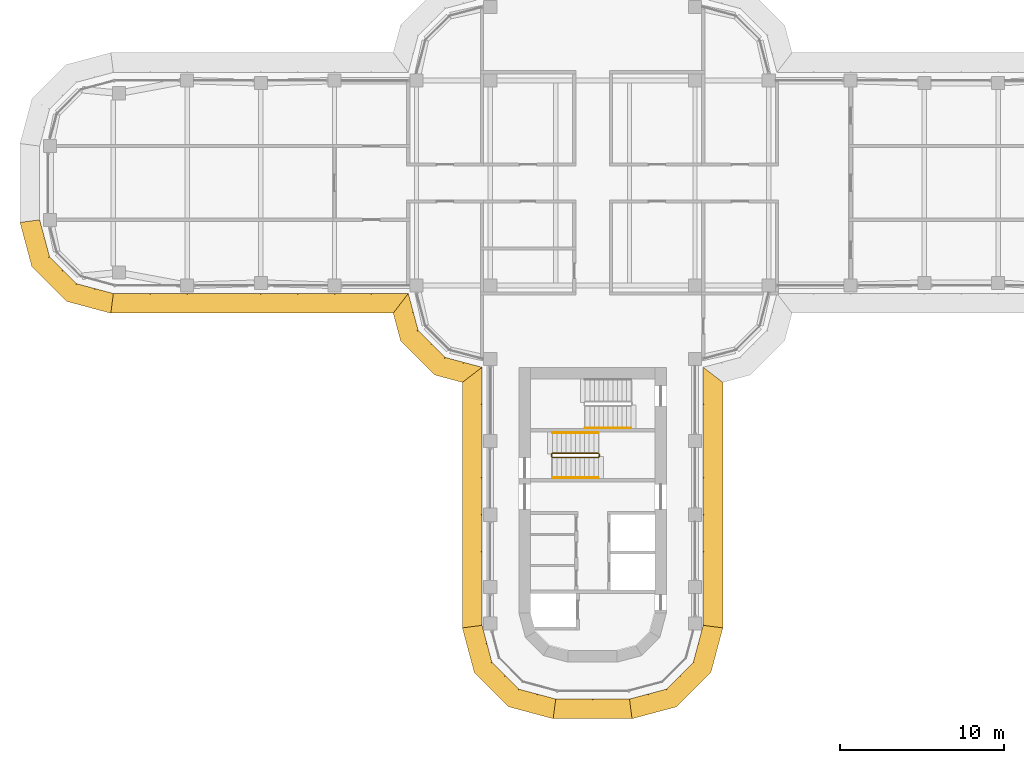
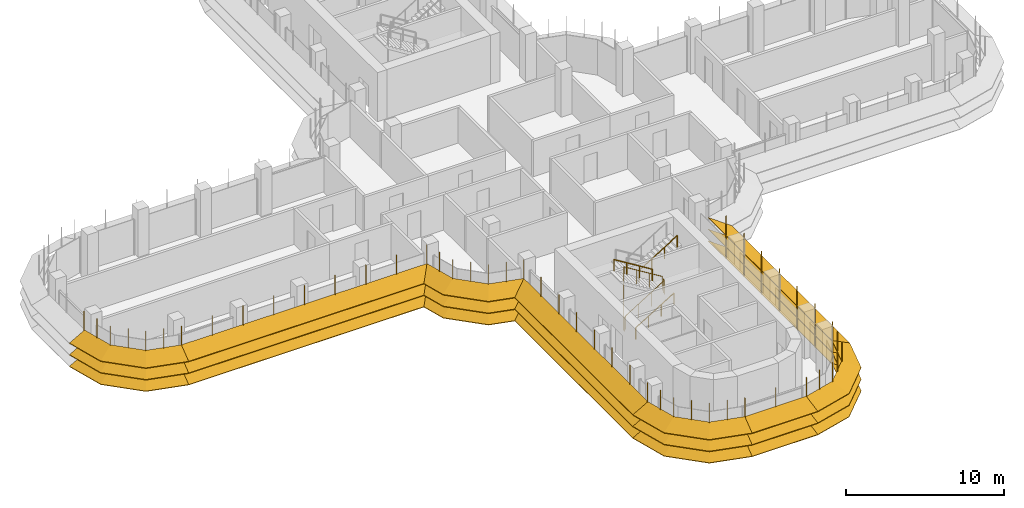
# One storey, part 16 of 19: 8 shading devices, 4 railings.
"""IFC4 building model written with IfcOpenShell, lengths in metres."""

from ifc_helpers import new_model, si_unit, direction, frame, origin, origin_2d, place, context, subcontext, project, spatial, polyline, circle, outline, extrude, faceted_brep, source, transform, mapped, material, type_object, element, save


model = new_model("IFC4")

# Units and contexts
model_context = context("Model", 3, precision=1e-05, world=origin(), true_north=direction((0.0, 1.0)))
body_context = subcontext(model_context, "Body", "Model", "MODEL_VIEW")
ifc_project = project(units=[si_unit("LENGTHUNIT", "METRE"), si_unit("AREAUNIT", "SQUARE_METRE"), si_unit("VOLUMEUNIT", "CUBIC_METRE"), si_unit("PLANEANGLEUNIT", "RADIAN"), si_unit("MASSUNIT", "GRAM", prefix="KILO")], contexts=[model_context])

# Site, building, storey
site_placement = place(None, origin())
site = spatial("IfcSite", under=ifc_project, at=site_placement, CompositionType="ELEMENT")
building_placement = place(site_placement, origin())
building = spatial("IfcBuilding", under=site, at=building_placement, Name="Zarbagh Exchange Tower", CompositionType="ELEMENT")
storey_placement = place(building_placement, frame((0.0, 0.0, 171.39990234375)))
storey = spatial("IfcBuildingStorey", under=building, at=storey_placement, Name="L41", CompositionType="ELEMENT", Elevation=171.39990234375)

# Railings
ifc_material_1 = material(Name="Stainless steel", Category="steel")
railing_type_1 = type_object("IfcRailingType", Name="Stair guard 1100 mm", PredefinedType="GUARDRAIL", material=ifc_material_1)
railing_1_placement = place(storey_placement, frame((0.35009765625, -16.5, 2.07275390625)))
element("IfcRailing", 1, at=railing_1_placement, inside=storey, type_object=railing_type_1, Name="ST3 stair guard 1", PredefinedType="GUARDRAIL", context=body_context, shape_type="SweptSolid", body=[
    extrude(circle(Radius=0.02392578125, at=origin_2d()), frame((0.0, 0.0, 1.076171875), z_axis=(-0.851089632645, 0.0, 0.525020415988), x_axis=(0.0, -1.0, 0.0)), (0.0, 0.0, 1.0), 3.2900390625),
    extrude(circle(Radius=0.02392578125, at=origin_2d()), frame((-2.800048828125, 0.0, 2.80322265625), z_axis=(-0.013168290981, -0.013168290981, -0.999826581076), x_axis=(0.707106781187, -0.707106781187, 0.0)), (0.0, 0.0, 1.0), 3.80078125),
    extrude(circle(Radius=0.02392578125, at=origin_2d()), frame((-2.85009765625, -0.050048828125, -0.99658203125), z_axis=(0.0, -1.0, 0.0), x_axis=(1.0, 0.0, 0.0)), (0.0, 0.0, 1.0), 0.14990234375),
    extrude(circle(Radius=0.02392578125, at=origin_2d()), frame((-2.85009765625, -0.199951171875, -0.99658203125), z_axis=(0.267953482034, -0.267953482034, 0.925419830635), x_axis=(0.707106781187, 0.707106781187, 0.0)), (0.0, 0.0, 1.0), 0.186767578125),
    extrude(circle(Radius=0.02392578125, at=origin_2d()), frame((-2.800048828125, -0.25, -0.82373046875), z_axis=(0.851089632645, 0.0, 0.525020415988), x_axis=(0.0, 1.0, 0.0)), (0.0, 0.0, 1.0), 3.2900390625),
    extrude(circle(Radius=0.02392578125, at=origin_2d()), frame((0.0, -0.25, 0.9033203125), z_axis=(0.705375805398, 0.708833529934, 0.0), x_axis=(-0.708833529934, 0.705375805398, 0.0)), (0.0, 0.0, 1.0), 0.070556640625),
    extrude(circle(Radius=0.02392578125, at=origin_2d()), frame((0.0498046875, -0.199951171875, 0.9033203125), z_axis=(0.0, 1.0, 0.0), x_axis=(-1.0, 0.0, 0.0)), (0.0, 0.0, 1.0), 0.14990234375),
    extrude(circle(Radius=0.02099609375, at=origin_2d()), origin(), (0.0, 0.0, 1.0), 1.052001953125),
    extrude(circle(Radius=0.02099609375, at=origin_2d()), frame((-0.933349609375, 0.0, 0.57568359375)), (0.0, 0.0, 1.0), 1.052001953125),
    extrude(circle(Radius=0.02099609375, at=origin_2d()), frame((-1.86669921875, 0.0, 1.151611328125)), (0.0, 0.0, 1.0), 1.052001953125),
    extrude(circle(Radius=0.02099609375, at=origin_2d()), frame((-2.800048828125, 0.0, 1.727294921875)), (0.0, 0.0, 1.0), 1.052001953125),
    extrude(circle(Radius=0.02099609375, at=origin_2d()), frame((-2.8125, -0.012451171875, 0.77734375)), (0.0, 0.0, 1.0), 1.052001953125),
    extrude(circle(Radius=0.02099609375, at=origin_2d()), frame((-2.8251953125, -0.02490234375, -0.1728515625)), (0.0, 0.0, 1.0), 1.052001953125),
    extrude(circle(Radius=0.02099609375, at=origin_2d()), frame((-2.837646484375, -0.03759765625, -1.122802734375)), (0.0, 0.0, 1.0), 1.052001953125),
    extrude(circle(Radius=0.02099609375, at=origin_2d()), frame((-2.85009765625, -0.050048828125, -2.07275390625)), (0.0, 0.0, 1.0), 1.052001953125),
    extrude(circle(Radius=0.02099609375, at=origin_2d()), frame((-2.85009765625, -0.199951171875, -2.07275390625)), (0.0, 0.0, 1.0), 1.052001953125),
    extrude(circle(Radius=0.02099609375, at=origin_2d()), frame((-2.800048828125, -0.25, -1.89990234375)), (0.0, 0.0, 1.0), 1.052001953125),
    extrude(circle(Radius=0.02099609375, at=origin_2d()), frame((-1.86669921875, -0.25, -1.32421875)), (0.0, 0.0, 1.0), 1.052001953125),
    extrude(circle(Radius=0.02099609375, at=origin_2d()), frame((-0.933349609375, -0.25, -0.748291015625)), (0.0, 0.0, 1.0), 1.052001953125),
    extrude(circle(Radius=0.02099609375, at=origin_2d()), frame((0.0, -0.25, -0.172607421875)), (0.0, 0.0, 1.0), 1.052001953125),
    extrude(circle(Radius=0.02099609375, at=origin_2d()), frame((0.0498046875, -0.199951171875, -0.172607421875)), (0.0, 0.0, 1.0), 1.052001953125),
    extrude(circle(Radius=0.02099609375, at=origin_2d()), frame((0.0498046875, -0.050048828125, -0.172607421875)), (0.0, 0.0, 1.0), 1.052001953125),
])
railing_type_2 = type_object("IfcRailingType", Name="Stair handrail 900 mm", PredefinedType="HANDRAIL", material=ifc_material_1)
railing_2_placement = place(storey_placement, frame((-2.449951171875, -18.0, 0.1728515625)))
element("IfcRailing", 2, at=railing_2_placement, inside=storey, type_object=railing_type_2, Name="ST3 stair handrail 1", PredefinedType="HANDRAIL", context=body_context, shape_type="SweptSolid", body=[
    extrude(circle(Radius=0.02392578125, at=origin_2d()), frame((0.0, 0.0, 0.8759765625), z_axis=(0.851089632645, 0.0, 0.525020415988), x_axis=(0.0, 1.0, 0.0)), (0.0, 0.0, 1.0), 3.2900390625),
    extrude(circle(Radius=0.02099609375, at=origin_2d()), origin(), (0.0, 0.0, 1.0), 0.851806640625),
    extrude(circle(Radius=0.02099609375, at=origin_2d()), frame((0.933349609375, 0.0, 0.57568359375)), (0.0, 0.0, 1.0), 0.851806640625),
    extrude(circle(Radius=0.02099609375, at=origin_2d()), frame((1.86669921875, 0.0, 1.151611328125)), (0.0, 0.0, 1.0), 0.851806640625),
    extrude(circle(Radius=0.02099609375, at=origin_2d()), frame((2.800048828125, 0.0, 1.727294921875)), (0.0, 0.0, 1.0), 0.851806640625),
])
railing_3_placement = place(storey_placement, frame((0.35009765625, -15.25, 2.07275390625)))
element("IfcRailing", 3, at=railing_3_placement, inside=storey, type_object=railing_type_2, Name="ST3 stair handrail 2", PredefinedType="HANDRAIL", context=body_context, shape_type="SweptSolid", body=[
    extrude(circle(Radius=0.02392578125, at=origin_2d()), frame((0.0, 0.0, 0.8759765625), z_axis=(-0.851089632645, 0.0, 0.525020415988), x_axis=(0.0, -1.0, 0.0)), (0.0, 0.0, 1.0), 3.2900390625),
    extrude(circle(Radius=0.02099609375, at=origin_2d()), origin(), (0.0, 0.0, 1.0), 0.851806640625),
    extrude(circle(Radius=0.02099609375, at=origin_2d()), frame((-0.933349609375, 0.0, 0.57568359375)), (0.0, 0.0, 1.0), 0.851806640625),
    extrude(circle(Radius=0.02099609375, at=origin_2d()), frame((-1.86669921875, 0.0, 1.151611328125)), (0.0, 0.0, 1.0), 0.851806640625),
    extrude(circle(Radius=0.02099609375, at=origin_2d()), frame((-2.800048828125, 0.0, 1.727294921875)), (0.0, 0.0, 1.0), 0.851806640625),
])
railing_4_placement = place(storey_placement, frame((-0.449951171875, -14.949951171875, 2.07275390625)))
element("IfcRailing", 4, at=railing_4_placement, inside=storey, type_object=railing_type_2, Name="ST4 stair handrail 2", PredefinedType="HANDRAIL", context=body_context, shape_type="SweptSolid", body=[
    extrude(circle(Radius=0.02392578125, at=origin_2d()), frame((0.0, 0.0, 0.8759765625), z_axis=(0.851089632645, 0.0, 0.525020415988), x_axis=(0.0, 1.0, 0.0)), (0.0, 0.0, 1.0), 3.2900390625),
    extrude(circle(Radius=0.02099609375, at=origin_2d()), origin(), (0.0, 0.0, 1.0), 0.851806640625),
    extrude(circle(Radius=0.02099609375, at=origin_2d()), frame((0.933349609375, 0.0, 0.57568359375)), (0.0, 0.0, 1.0), 0.851806640625),
    extrude(circle(Radius=0.02099609375, at=origin_2d()), frame((1.86669921875, 0.0, 1.151611328125)), (0.0, 0.0, 1.0), 0.851806640625),
    extrude(circle(Radius=0.02099609375, at=origin_2d()), frame((2.800048828125, 0.0, 1.727294921875)), (0.0, 0.0, 1.0), 0.851806640625),
])

# Shading devices
ifc_material_2 = material(Name="Anodised aluminium blades and brackets", Category="aluminium")
shading_device_type = type_object("IfcShadingDeviceType", Name="SUNSHADE louvre band, 22.5 degree blades", PredefinedType="JALOUSIE", material=ifc_material_2)
shared_shape_1 = source(origin(), body_context, "Body", "Brep", [
    faceted_brep([(0.0, 0.0, 0.0), (0.0, 0.0, -0.043212890625), (-0.157958984375, -1.199951171875, -0.540283203125), (-0.157958984375, -1.199951171875, -0.4970703125), (2.65087890625, -1.199951171875, -0.4970703125), (2.65087890625, -1.199951171875, -0.540283203125), (2.329345703125, 0.0, -0.043212890625), (2.329345703125, 0.0, 0.0)], [[[0, 1, 2, 3]], [[4, 5, 6, 7]], [[0, 7, 6, 1]], [[1, 6, 5, 2]], [[2, 5, 4, 3]], [[3, 4, 7, 0]]]),
])
shared_shape_2 = source(origin(), body_context, "Body", "Brep", [
    faceted_brep([(0.0, 0.0, 0.0), (0.0, 0.0, -0.043212890625), (-0.321533203125, -1.199951171875, -0.540283203125), (-0.321533203125, -1.199951171875, -0.4970703125), (2.65087890625, -1.199951171875, -0.4970703125), (2.65087890625, -1.199951171875, -0.540283203125), (2.329345703125, 0.0, -0.043212890625), (2.329345703125, 0.0, 0.0)], [[[0, 1, 2, 3]], [[4, 5, 6, 7]], [[0, 7, 6, 1]], [[1, 6, 5, 2]], [[2, 5, 4, 3]], [[3, 4, 7, 0]]]),
])
shared_shape_3 = source(origin(), body_context, "Body", "Brep", [
    faceted_brep([(0.0, 0.0, 0.0), (0.0, 0.0, -0.043212890625), (-0.321533203125, -1.199951171875, -0.540283203125), (-0.321533203125, -1.199951171875, -0.4970703125), (2.4873046875, -1.199951171875, -0.4970703125), (2.4873046875, -1.199951171875, -0.540283203125), (2.329345703125, 0.0, -0.043212890625), (2.329345703125, 0.0, 0.0)], [[[0, 1, 2, 3]], [[4, 5, 6, 7]], [[0, 7, 6, 1]], [[1, 6, 5, 2]], [[2, 5, 4, 3]], [[3, 4, 7, 0]]]),
])
shared_shape_4 = source(origin(), body_context, "Body", "SweptSolid", [
    extrude(outline(polyline([(0.0, -0.012451171875), (0.06005859375, -0.012451171875), (0.06005859375, 0.012451171875), (0.0, 0.012451171875), (0.0, -0.012451171875)])), origin(), (0.0, 0.0, 1.0), 3.353271484375),
])
placement = place(storey_placement, origin())
element("IfcShadingDevice", 5, at=placement, inside=storey, type_object=shading_device_type, Name="SS35 sunshade band", PredefinedType="JALOUSIE", context=body_context, shape_type="MappedRepresentation", body=[
    mapped(shared_shape_1, transform((2.25, -31.5, 2.300048828125), x_axis=(0.965924289636, 0.258824779902, 0.0), y_axis=(-0.258824779902, 0.965924289636, 0.0), z_axis=(0.0, 0.0, 1.0))),
    mapped(shared_shape_1, transform((2.25, -31.5, 1.400146484375), x_axis=(0.965924289636, 0.258824779902, 0.0), y_axis=(-0.258824779902, 0.965924289636, 0.0), z_axis=(0.0, 0.0, 1.0))),
    mapped(shared_shape_1, transform((2.25, -31.5, 0.5), x_axis=(0.965924289636, 0.258824779902, 0.0), y_axis=(-0.258824779902, 0.965924289636, 0.0), z_axis=(0.0, 0.0, 1.0))),
    mapped(shared_shape_2, transform((4.5, -30.897216796875, 2.300048828125), x_axis=(0.707106781187, 0.707106781187, 0.0), y_axis=(-0.707106781187, 0.707106781187, 0.0), z_axis=(0.0, 0.0, 1.0))),
    mapped(shared_shape_2, transform((4.5, -30.897216796875, 1.400146484375), x_axis=(0.707106781187, 0.707106781187, 0.0), y_axis=(-0.707106781187, 0.707106781187, 0.0), z_axis=(0.0, 0.0, 1.0))),
    mapped(shared_shape_2, transform((4.5, -30.897216796875, 0.5), x_axis=(0.707106781187, 0.707106781187, 0.0), y_axis=(-0.707106781187, 0.707106781187, 0.0), z_axis=(0.0, 0.0, 1.0))),
    mapped(shared_shape_3, transform((6.147216796875, -29.25, 2.300048828125), x_axis=(0.258824779902, 0.965924289636, 0.0), y_axis=(-0.965924289636, 0.258824779902, 0.0), z_axis=(0.0, 0.0, 1.0))),
    mapped(shared_shape_3, transform((6.147216796875, -29.25, 1.400146484375), x_axis=(0.258824779902, 0.965924289636, 0.0), y_axis=(-0.965924289636, 0.258824779902, 0.0), z_axis=(0.0, 0.0, 1.0))),
    mapped(shared_shape_3, transform((6.147216796875, -29.25, 0.5), x_axis=(0.258824779902, 0.965924289636, 0.0), y_axis=(-0.965924289636, 0.258824779902, 0.0), z_axis=(0.0, 0.0, 1.0))),
    mapped(shared_shape_4, transform((2.25, -31.5, 0.4267578125), x_axis=(0.130529263012, -0.991444457092, 0.0), y_axis=(0.991444457092, 0.130529263012, 0.0), z_axis=(0.0, 0.0, 1.0))),
    mapped(shared_shape_4, transform((3.375, -31.198486328125, 0.4267578125), x_axis=(0.258825058029, -0.96592421511, 0.0), y_axis=(0.96592421511, 0.258825058029, 0.0), z_axis=(0.0, 0.0, 1.0))),
    mapped(shared_shape_4, transform((4.5, -30.897216796875, 0.4267578125), x_axis=(0.50000275701, -0.866023812018, 0.0), y_axis=(0.866023812018, 0.50000275701, 0.0), z_axis=(0.0, 0.0, 1.0))),
    mapped(shared_shape_4, transform((5.323486328125, -30.073486328125, 0.4267578125), x_axis=(0.707106781187, -0.707106781187, 0.0), y_axis=(0.707106781187, 0.707106781187, 0.0), z_axis=(0.0, 0.0, 1.0))),
    mapped(shared_shape_4, transform((6.147216796875, -29.25, 0.4267578125), x_axis=(0.866023812018, -0.50000275701, 0.0), y_axis=(0.50000275701, 0.866023812018, 0.0), z_axis=(0.0, 0.0, 1.0))),
    mapped(shared_shape_4, transform((6.448486328125, -28.125, 0.4267578125), x_axis=(0.96592421511, -0.258825058029, 0.0), y_axis=(0.258825058029, 0.96592421511, 0.0), z_axis=(0.0, 0.0, 1.0))),
])
element("IfcShadingDevice", 6, at=placement, inside=storey, type_object=shading_device_type, Name="SS19 sunshade band", PredefinedType="JALOUSIE", context=body_context, shape_type="MappedRepresentation", body=[
    mapped(shared_shape_1, transform((-33.75, -2.25, 2.300048828125), x_axis=(0.258824779902, -0.965924289636, 0.0), y_axis=(0.965924289636, 0.258824779902, 0.0), z_axis=(0.0, 0.0, 1.0))),
    mapped(shared_shape_1, transform((-33.75, -2.25, 1.400146484375), x_axis=(0.258824779902, -0.965924289636, 0.0), y_axis=(0.965924289636, 0.258824779902, 0.0), z_axis=(0.0, 0.0, 1.0))),
    mapped(shared_shape_1, transform((-33.75, -2.25, 0.5), x_axis=(0.258824779902, -0.965924289636, 0.0), y_axis=(0.965924289636, 0.258824779902, 0.0), z_axis=(0.0, 0.0, 1.0))),
    mapped(shared_shape_2, transform((-33.147216796875, -4.5, 2.300048828125), x_axis=(0.707106781187, -0.707106781187, 0.0), y_axis=(0.707106781187, 0.707106781187, 0.0), z_axis=(0.0, 0.0, 1.0))),
    mapped(shared_shape_2, transform((-33.147216796875, -4.5, 1.400146484375), x_axis=(0.707106781187, -0.707106781187, 0.0), y_axis=(0.707106781187, 0.707106781187, 0.0), z_axis=(0.0, 0.0, 1.0))),
    mapped(shared_shape_2, transform((-33.147216796875, -4.5, 0.5), x_axis=(0.707106781187, -0.707106781187, 0.0), y_axis=(0.707106781187, 0.707106781187, 0.0), z_axis=(0.0, 0.0, 1.0))),
    mapped(shared_shape_3, transform((-31.5, -6.147216796875, 2.300048828125), x_axis=(0.965924289636, -0.258824779902, 0.0), y_axis=(0.258824779902, 0.965924289636, 0.0), z_axis=(0.0, 0.0, 1.0))),
    mapped(shared_shape_3, transform((-31.5, -6.147216796875, 1.400146484375), x_axis=(0.965924289636, -0.258824779902, 0.0), y_axis=(0.258824779902, 0.965924289636, 0.0), z_axis=(0.0, 0.0, 1.0))),
    mapped(shared_shape_3, transform((-31.5, -6.147216796875, 0.5), x_axis=(0.965924289636, -0.258824779902, 0.0), y_axis=(0.258824779902, 0.965924289636, 0.0), z_axis=(0.0, 0.0, 1.0))),
    mapped(shared_shape_4, transform((-33.75, -2.25, 0.4267578125), x_axis=(-0.991444457092, -0.130529263012, 0.0), y_axis=(0.130529263012, -0.991444457092, 0.0), z_axis=(0.0, 0.0, 1.0))),
    mapped(shared_shape_4, transform((-33.448486328125, -3.375, 0.4267578125), x_axis=(-0.96592421511, -0.258825058029, 0.0), y_axis=(0.258825058029, -0.96592421511, 0.0), z_axis=(0.0, 0.0, 1.0))),
    mapped(shared_shape_4, transform((-33.147216796875, -4.5, 0.4267578125), x_axis=(-0.866023812018, -0.50000275701, 0.0), y_axis=(0.50000275701, -0.866023812018, 0.0), z_axis=(0.0, 0.0, 1.0))),
    mapped(shared_shape_4, transform((-32.323486328125, -5.323486328125, 0.4267578125), x_axis=(-0.707106781187, -0.707106781187, 0.0), y_axis=(0.707106781187, -0.707106781187, 0.0), z_axis=(0.0, 0.0, 1.0))),
    mapped(shared_shape_4, transform((-31.5, -6.147216796875, 0.4267578125), x_axis=(-0.50000275701, -0.866023812018, 0.0), y_axis=(0.866023812018, -0.50000275701, 0.0), z_axis=(0.0, 0.0, 1.0))),
    mapped(shared_shape_4, transform((-30.375, -6.448486328125, 0.4267578125), x_axis=(-0.258825058029, -0.96592421511, 0.0), y_axis=(0.96592421511, -0.258825058029, 0.0), z_axis=(0.0, 0.0, 1.0))),
])
element("IfcShadingDevice", 7, at=placement, inside=storey, type_object=shading_device_type, Name="SS38 sunshade band", PredefinedType="JALOUSIE", context=body_context, shape_type="MappedRepresentation", body=[
    mapped(shared_shape_1, transform((-6.75, -27.0, 2.300048828125), x_axis=(0.258824779902, -0.965924289636, 0.0), y_axis=(0.965924289636, 0.258824779902, 0.0), z_axis=(0.0, 0.0, 1.0))),
    mapped(shared_shape_1, transform((-6.75, -27.0, 1.400146484375), x_axis=(0.258824779902, -0.965924289636, 0.0), y_axis=(0.965924289636, 0.258824779902, 0.0), z_axis=(0.0, 0.0, 1.0))),
    mapped(shared_shape_1, transform((-6.75, -27.0, 0.5), x_axis=(0.258824779902, -0.965924289636, 0.0), y_axis=(0.965924289636, 0.258824779902, 0.0), z_axis=(0.0, 0.0, 1.0))),
    mapped(shared_shape_2, transform((-6.147216796875, -29.25, 2.300048828125), x_axis=(0.707106781187, -0.707106781187, 0.0), y_axis=(0.707106781187, 0.707106781187, 0.0), z_axis=(0.0, 0.0, 1.0))),
    mapped(shared_shape_2, transform((-6.147216796875, -29.25, 1.400146484375), x_axis=(0.707106781187, -0.707106781187, 0.0), y_axis=(0.707106781187, 0.707106781187, 0.0), z_axis=(0.0, 0.0, 1.0))),
    mapped(shared_shape_2, transform((-6.147216796875, -29.25, 0.5), x_axis=(0.707106781187, -0.707106781187, 0.0), y_axis=(0.707106781187, 0.707106781187, 0.0), z_axis=(0.0, 0.0, 1.0))),
    mapped(shared_shape_3, transform((-4.5, -30.897216796875, 2.300048828125), x_axis=(0.965924289636, -0.258824779902, 0.0), y_axis=(0.258824779902, 0.965924289636, 0.0), z_axis=(0.0, 0.0, 1.0))),
    mapped(shared_shape_3, transform((-4.5, -30.897216796875, 1.400146484375), x_axis=(0.965924289636, -0.258824779902, 0.0), y_axis=(0.258824779902, 0.965924289636, 0.0), z_axis=(0.0, 0.0, 1.0))),
    mapped(shared_shape_3, transform((-4.5, -30.897216796875, 0.5), x_axis=(0.965924289636, -0.258824779902, 0.0), y_axis=(0.258824779902, 0.965924289636, 0.0), z_axis=(0.0, 0.0, 1.0))),
    mapped(shared_shape_4, transform((-6.75, -27.0, 0.4267578125), x_axis=(-0.991444457092, -0.130529263012, 0.0), y_axis=(0.130529263012, -0.991444457092, 0.0), z_axis=(0.0, 0.0, 1.0))),
    mapped(shared_shape_4, transform((-6.448486328125, -28.125, 0.4267578125), x_axis=(-0.96592421511, -0.258825058029, 0.0), y_axis=(0.258825058029, -0.96592421511, 0.0), z_axis=(0.0, 0.0, 1.0))),
    mapped(shared_shape_4, transform((-6.147216796875, -29.25, 0.4267578125), x_axis=(-0.866023812018, -0.50000275701, 0.0), y_axis=(0.50000275701, -0.866023812018, 0.0), z_axis=(0.0, 0.0, 1.0))),
    mapped(shared_shape_4, transform((-5.323486328125, -30.073486328125, 0.4267578125), x_axis=(-0.707106781187, -0.707106781187, 0.0), y_axis=(0.707106781187, -0.707106781187, 0.0), z_axis=(0.0, 0.0, 1.0))),
    mapped(shared_shape_4, transform((-4.5, -30.897216796875, 0.4267578125), x_axis=(-0.50000275701, -0.866023812018, 0.0), y_axis=(0.866023812018, -0.50000275701, 0.0), z_axis=(0.0, 0.0, 1.0))),
    mapped(shared_shape_4, transform((-3.375, -31.198486328125, 0.4267578125), x_axis=(-0.258825058029, -0.96592421511, 0.0), y_axis=(0.96592421511, -0.258825058029, 0.0), z_axis=(0.0, 0.0, 1.0))),
])
shared_shape_5 = source(origin(), body_context, "Body", "Brep", [
    faceted_brep([(0.0, 0.0, 0.0), (0.0, 0.0, -0.043212890625), (0.9208984375, -1.199951171875, -0.540283203125), (0.9208984375, -1.199951171875, -0.4970703125), (2.65087890625, -1.199951171875, -0.4970703125), (2.65087890625, -1.199951171875, -0.540283203125), (2.329345703125, 0.0, -0.043212890625), (2.329345703125, 0.0, 0.0)], [[[0, 1, 2, 3]], [[4, 5, 6, 7]], [[0, 7, 6, 1]], [[1, 6, 5, 2]], [[2, 5, 4, 3]], [[3, 4, 7, 0]]]),
])
shared_shape_6 = source(origin(), body_context, "Body", "Brep", [
    faceted_brep([(0.0, 0.0, 0.0), (0.0, 0.0, -0.043212890625), (-0.321533203125, -1.199951171875, -0.540283203125), (-0.321533203125, -1.199951171875, -0.4970703125), (1.40869140625, -1.199951171875, -0.4970703125), (1.40869140625, -1.199951171875, -0.540283203125), (2.329345703125, 0.0, -0.043212890625), (2.329345703125, 0.0, 0.0)], [[[0, 1, 2, 3]], [[4, 5, 6, 7]], [[0, 7, 6, 1]], [[1, 6, 5, 2]], [[2, 5, 4, 3]], [[3, 4, 7, 0]]]),
])
element("IfcShadingDevice", 8, at=placement, inside=storey, type_object=shading_device_type, Name="SS21 sunshade band", PredefinedType="JALOUSIE", context=body_context, shape_type="MappedRepresentation", body=[
    mapped(shared_shape_5, transform((-11.25, -6.75, 2.300048828125), x_axis=(0.258824779902, -0.965924289636, 0.0), y_axis=(0.965924289636, 0.258824779902, 0.0), z_axis=(0.0, 0.0, 1.0))),
    mapped(shared_shape_5, transform((-11.25, -6.75, 1.400146484375), x_axis=(0.258824779902, -0.965924289636, 0.0), y_axis=(0.965924289636, 0.258824779902, 0.0), z_axis=(0.0, 0.0, 1.0))),
    mapped(shared_shape_5, transform((-11.25, -6.75, 0.5), x_axis=(0.258824779902, -0.965924289636, 0.0), y_axis=(0.965924289636, 0.258824779902, 0.0), z_axis=(0.0, 0.0, 1.0))),
    mapped(shared_shape_2, transform((-10.647216796875, -9.0, 2.300048828125), x_axis=(0.707106781187, -0.707106781187, 0.0), y_axis=(0.707106781187, 0.707106781187, 0.0), z_axis=(0.0, 0.0, 1.0))),
    mapped(shared_shape_2, transform((-10.647216796875, -9.0, 1.400146484375), x_axis=(0.707106781187, -0.707106781187, 0.0), y_axis=(0.707106781187, 0.707106781187, 0.0), z_axis=(0.0, 0.0, 1.0))),
    mapped(shared_shape_2, transform((-10.647216796875, -9.0, 0.5), x_axis=(0.707106781187, -0.707106781187, 0.0), y_axis=(0.707106781187, 0.707106781187, 0.0), z_axis=(0.0, 0.0, 1.0))),
    mapped(shared_shape_6, transform((-9.0, -10.647216796875, 2.300048828125), x_axis=(0.965924289636, -0.258824779902, 0.0), y_axis=(0.258824779902, 0.965924289636, 0.0), z_axis=(0.0, 0.0, 1.0))),
    mapped(shared_shape_6, transform((-9.0, -10.647216796875, 1.400146484375), x_axis=(0.965924289636, -0.258824779902, 0.0), y_axis=(0.258824779902, 0.965924289636, 0.0), z_axis=(0.0, 0.0, 1.0))),
    mapped(shared_shape_6, transform((-9.0, -10.647216796875, 0.5), x_axis=(0.965924289636, -0.258824779902, 0.0), y_axis=(0.258824779902, 0.965924289636, 0.0), z_axis=(0.0, 0.0, 1.0))),
    mapped(shared_shape_4, transform((-11.25, -6.75, 0.4267578125), x_axis=(-0.608758892, -0.793355287, 0.0), y_axis=(0.793355287, -0.608758892, 0.0), z_axis=(0.0, 0.0, 1.0))),
    mapped(shared_shape_4, transform((-10.948486328125, -7.875, 0.4267578125), x_axis=(-0.96592421511, -0.258825058029, 0.0), y_axis=(0.258825058029, -0.96592421511, 0.0), z_axis=(0.0, 0.0, 1.0))),
    mapped(shared_shape_4, transform((-10.647216796875, -9.0, 0.4267578125), x_axis=(-0.866023812018, -0.50000275701, 0.0), y_axis=(0.50000275701, -0.866023812018, 0.0), z_axis=(0.0, 0.0, 1.0))),
    mapped(shared_shape_4, transform((-9.823486328125, -9.823486328125, 0.4267578125), x_axis=(-0.707106781187, -0.707106781187, 0.0), y_axis=(0.707106781187, -0.707106781187, 0.0), z_axis=(0.0, 0.0, 1.0))),
    mapped(shared_shape_4, transform((-9.0, -10.647216796875, 0.4267578125), x_axis=(-0.50000275701, -0.866023812018, 0.0), y_axis=(0.866023812018, -0.50000275701, 0.0), z_axis=(0.0, 0.0, 1.0))),
    mapped(shared_shape_4, transform((-7.875, -10.948486328125, 0.4267578125), x_axis=(-0.258825058029, -0.96592421511, 0.0), y_axis=(0.96592421511, -0.258825058029, 0.0), z_axis=(0.0, 0.0, 1.0))),
])
shared_shape_7 = source(origin(), body_context, "Body", "Brep", [
    faceted_brep([(0.0, 0.0, 0.0), (0.0, 0.0, -0.043212890625), (-0.157958984375, -1.199951171875, -0.540283203125), (-0.157958984375, -1.199951171875, -0.4970703125), (14.8291015625, -1.199951171875, -0.4970703125), (14.8291015625, -1.199951171875, -0.540283203125), (15.75, 0.0, -0.043212890625), (15.75, 0.0, 0.0)], [[[0, 1, 2, 3]], [[4, 5, 6, 7]], [[0, 7, 6, 1]], [[1, 6, 5, 2]], [[2, 5, 4, 3]], [[3, 4, 7, 0]]]),
])
element("IfcShadingDevice", 9, at=placement, inside=storey, type_object=shading_device_type, Name="SS36 sunshade band", PredefinedType="JALOUSIE", context=body_context, shape_type="MappedRepresentation", body=[
    mapped(shared_shape_7, transform((6.75, -27.0, 2.300048828125), x_axis=(0.0, 1.0, 0.0), y_axis=(-1.0, 0.0, 0.0), z_axis=(0.0, 0.0, 1.0))),
    mapped(shared_shape_7, transform((6.75, -27.0, 1.400146484375), x_axis=(0.0, 1.0, 0.0), y_axis=(-1.0, 0.0, 0.0), z_axis=(0.0, 0.0, 1.0))),
    mapped(shared_shape_7, transform((6.75, -27.0, 0.5), x_axis=(0.0, 1.0, 0.0), y_axis=(-1.0, 0.0, 0.0), z_axis=(0.0, 0.0, 1.0))),
    mapped(shared_shape_4, transform((6.75, -27.0, 0.4267578125), x_axis=(0.991444457092, -0.130529263012, 0.0), y_axis=(0.130529263012, 0.991444457092, 0.0), z_axis=(0.0, 0.0, 1.0))),
    mapped(shared_shape_4, transform((6.75, -24.75, 0.4267578125), x_axis=(1.0, 0.0, 0.0), y_axis=(0.0, 1.0, 0.0), z_axis=(0.0, 0.0, 1.0))),
    mapped(shared_shape_4, transform((6.75, -22.5, 0.4267578125), x_axis=(1.0, 0.0, 0.0), y_axis=(0.0, 1.0, 0.0), z_axis=(0.0, 0.0, 1.0))),
    mapped(shared_shape_4, transform((6.75, -20.25, 0.4267578125), x_axis=(1.0, 0.0, 0.0), y_axis=(0.0, 1.0, 0.0), z_axis=(0.0, 0.0, 1.0))),
    mapped(shared_shape_4, transform((6.75, -18.0, 0.4267578125), x_axis=(1.0, 0.0, 0.0), y_axis=(0.0, 1.0, 0.0), z_axis=(0.0, 0.0, 1.0))),
    mapped(shared_shape_4, transform((6.75, -15.75, 0.4267578125), x_axis=(1.0, 0.0, 0.0), y_axis=(0.0, 1.0, 0.0), z_axis=(0.0, 0.0, 1.0))),
    mapped(shared_shape_4, transform((6.75, -13.5, 0.4267578125), x_axis=(1.0, 0.0, 0.0), y_axis=(0.0, 1.0, 0.0), z_axis=(0.0, 0.0, 1.0))),
])
shared_shape_8 = source(origin(), body_context, "Body", "Brep", [
    faceted_brep([(0.0, 0.0, 0.0), (0.0, 0.0, -0.043212890625), (-0.157958984375, -1.199951171875, -0.540283203125), (-0.157958984375, -1.199951171875, -0.4970703125), (17.0791015625, -1.199951171875, -0.4970703125), (17.0791015625, -1.199951171875, -0.540283203125), (18.0, 0.0, -0.043212890625), (18.0, 0.0, 0.0)], [[[0, 1, 2, 3]], [[4, 5, 6, 7]], [[0, 7, 6, 1]], [[1, 6, 5, 2]], [[2, 5, 4, 3]], [[3, 4, 7, 0]]]),
])
element("IfcShadingDevice", 10, at=placement, inside=storey, type_object=shading_device_type, Name="SS20 sunshade band", PredefinedType="JALOUSIE", context=body_context, shape_type="MappedRepresentation", body=[
    mapped(shared_shape_8, transform((-29.25, -6.75, 2.300048828125), x_axis=(1.0, 0.0, 0.0), y_axis=(0.0, 1.0, 0.0), z_axis=(0.0, 0.0, 1.0))),
    mapped(shared_shape_8, transform((-29.25, -6.75, 1.400146484375), x_axis=(1.0, 0.0, 0.0), y_axis=(0.0, 1.0, 0.0), z_axis=(0.0, 0.0, 1.0))),
    mapped(shared_shape_8, transform((-29.25, -6.75, 0.5), x_axis=(1.0, 0.0, 0.0), y_axis=(0.0, 1.0, 0.0), z_axis=(0.0, 0.0, 1.0))),
    mapped(shared_shape_4, transform((-29.25, -6.75, 0.4267578125), x_axis=(-0.130529263012, -0.991444457092, 0.0), y_axis=(0.991444457092, -0.130529263012, 0.0), z_axis=(0.0, 0.0, 1.0))),
    mapped(shared_shape_4, transform((-27.0, -6.75, 0.4267578125), x_axis=(0.0, -1.0, 0.0), y_axis=(1.0, 0.0, 0.0), z_axis=(0.0, 0.0, 1.0))),
    mapped(shared_shape_4, transform((-24.75, -6.75, 0.4267578125), x_axis=(0.0, -1.0, 0.0), y_axis=(1.0, 0.0, 0.0), z_axis=(0.0, 0.0, 1.0))),
    mapped(shared_shape_4, transform((-22.5, -6.75, 0.4267578125), x_axis=(0.0, -1.0, 0.0), y_axis=(1.0, 0.0, 0.0), z_axis=(0.0, 0.0, 1.0))),
    mapped(shared_shape_4, transform((-20.25, -6.75, 0.4267578125), x_axis=(0.0, -1.0, 0.0), y_axis=(1.0, 0.0, 0.0), z_axis=(0.0, 0.0, 1.0))),
    mapped(shared_shape_4, transform((-18.0, -6.75, 0.4267578125), x_axis=(0.0, -1.0, 0.0), y_axis=(1.0, 0.0, 0.0), z_axis=(0.0, 0.0, 1.0))),
    mapped(shared_shape_4, transform((-15.75, -6.75, 0.4267578125), x_axis=(0.0, -1.0, 0.0), y_axis=(1.0, 0.0, 0.0), z_axis=(0.0, 0.0, 1.0))),
    mapped(shared_shape_4, transform((-13.5, -6.75, 0.4267578125), x_axis=(0.0, -1.0, 0.0), y_axis=(1.0, 0.0, 0.0), z_axis=(0.0, 0.0, 1.0))),
])
shared_shape_9 = source(origin(), body_context, "Body", "Brep", [
    faceted_brep([(0.0, 0.0, 0.0), (0.0, 0.0, -0.043212890625), (0.9208984375, -1.199951171875, -0.540283203125), (0.9208984375, -1.199951171875, -0.4970703125), (15.907958984375, -1.199951171875, -0.4970703125), (15.907958984375, -1.199951171875, -0.540283203125), (15.75, 0.0, -0.043212890625), (15.75, 0.0, 0.0)], [[[0, 1, 2, 3]], [[4, 5, 6, 7]], [[0, 7, 6, 1]], [[1, 6, 5, 2]], [[2, 5, 4, 3]], [[3, 4, 7, 0]]]),
])
element("IfcShadingDevice", 11, at=placement, inside=storey, type_object=shading_device_type, Name="SS37 sunshade band", PredefinedType="JALOUSIE", context=body_context, shape_type="MappedRepresentation", body=[
    mapped(shared_shape_9, transform((-6.75, -11.25, 2.300048828125), x_axis=(0.0, -1.0, 0.0), y_axis=(1.0, 0.0, 0.0), z_axis=(0.0, 0.0, 1.0))),
    mapped(shared_shape_9, transform((-6.75, -11.25, 1.400146484375), x_axis=(0.0, -1.0, 0.0), y_axis=(1.0, 0.0, 0.0), z_axis=(0.0, 0.0, 1.0))),
    mapped(shared_shape_9, transform((-6.75, -11.25, 0.5), x_axis=(0.0, -1.0, 0.0), y_axis=(1.0, 0.0, 0.0), z_axis=(0.0, 0.0, 1.0))),
    mapped(shared_shape_4, transform((-6.75, -11.25, 0.4267578125), x_axis=(-0.793355287, -0.608758892, 0.0), y_axis=(0.608758892, -0.793355287, 0.0), z_axis=(0.0, 0.0, 1.0))),
    mapped(shared_shape_4, transform((-6.75, -13.5, 0.4267578125), x_axis=(-1.0, 0.0, 0.0), y_axis=(0.0, -1.0, 0.0), z_axis=(0.0, 0.0, 1.0))),
    mapped(shared_shape_4, transform((-6.75, -15.75, 0.4267578125), x_axis=(-1.0, 0.0, 0.0), y_axis=(0.0, -1.0, 0.0), z_axis=(0.0, 0.0, 1.0))),
    mapped(shared_shape_4, transform((-6.75, -18.0, 0.4267578125), x_axis=(-1.0, 0.0, 0.0), y_axis=(0.0, -1.0, 0.0), z_axis=(0.0, 0.0, 1.0))),
    mapped(shared_shape_4, transform((-6.75, -20.25, 0.4267578125), x_axis=(-1.0, 0.0, 0.0), y_axis=(0.0, -1.0, 0.0), z_axis=(0.0, 0.0, 1.0))),
    mapped(shared_shape_4, transform((-6.75, -22.5, 0.4267578125), x_axis=(-1.0, 0.0, 0.0), y_axis=(0.0, -1.0, 0.0), z_axis=(0.0, 0.0, 1.0))),
    mapped(shared_shape_4, transform((-6.75, -24.75, 0.4267578125), x_axis=(-1.0, 0.0, 0.0), y_axis=(0.0, -1.0, 0.0), z_axis=(0.0, 0.0, 1.0))),
])
shared_shape_10 = source(origin(), body_context, "Body", "Brep", [
    faceted_brep([(0.0, 0.0, 0.0), (0.0, 0.0, -0.043212890625), (-0.157958984375, -1.199951171875, -0.540283203125), (-0.157958984375, -1.199951171875, -0.4970703125), (4.657958984375, -1.199951171875, -0.4970703125), (4.657958984375, -1.199951171875, -0.540283203125), (4.5, 0.0, -0.043212890625), (4.5, 0.0, 0.0)], [[[0, 1, 2, 3]], [[4, 5, 6, 7]], [[0, 7, 6, 1]], [[1, 6, 5, 2]], [[2, 5, 4, 3]], [[3, 4, 7, 0]]]),
])
element("IfcShadingDevice", 12, at=placement, inside=storey, type_object=shading_device_type, Name="SS39 sunshade band", PredefinedType="JALOUSIE", context=body_context, shape_type="MappedRepresentation", body=[
    mapped(shared_shape_10, transform((-2.25, -31.5, 2.300048828125), x_axis=(1.0, 0.0, 0.0), y_axis=(0.0, 1.0, 0.0), z_axis=(0.0, 0.0, 1.0))),
    mapped(shared_shape_10, transform((-2.25, -31.5, 1.400146484375), x_axis=(1.0, 0.0, 0.0), y_axis=(0.0, 1.0, 0.0), z_axis=(0.0, 0.0, 1.0))),
    mapped(shared_shape_10, transform((-2.25, -31.5, 0.5), x_axis=(1.0, 0.0, 0.0), y_axis=(0.0, 1.0, 0.0), z_axis=(0.0, 0.0, 1.0))),
    mapped(shared_shape_4, transform((-2.25, -31.5, 0.4267578125), x_axis=(-0.130529263012, -0.991444457092, 0.0), y_axis=(0.991444457092, -0.130529263012, 0.0), z_axis=(0.0, 0.0, 1.0))),
    mapped(shared_shape_4, transform((0.0, -31.5, 0.4267578125), x_axis=(0.0, -1.0, 0.0), y_axis=(1.0, 0.0, 0.0), z_axis=(0.0, 0.0, 1.0))),
])

save(model, "model.ifc")
